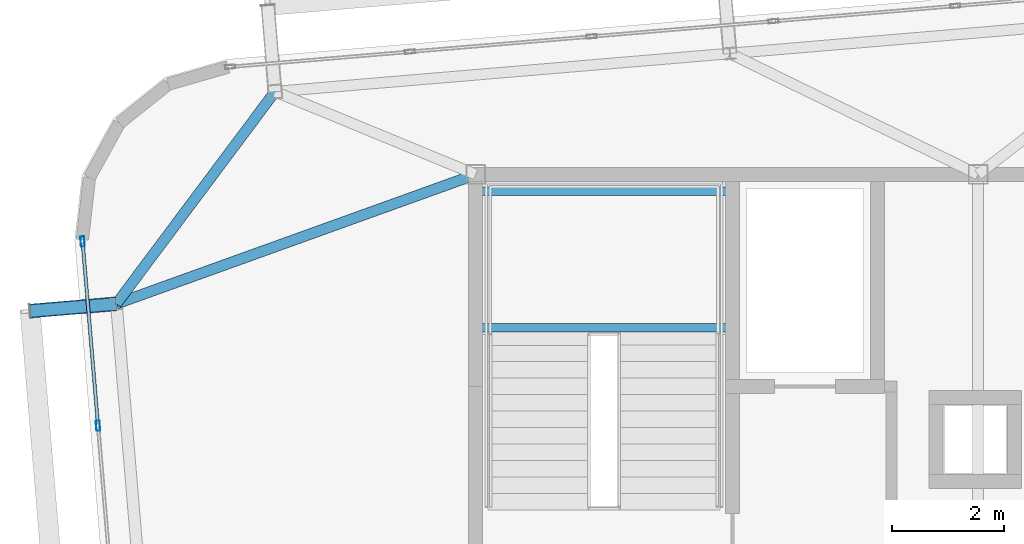
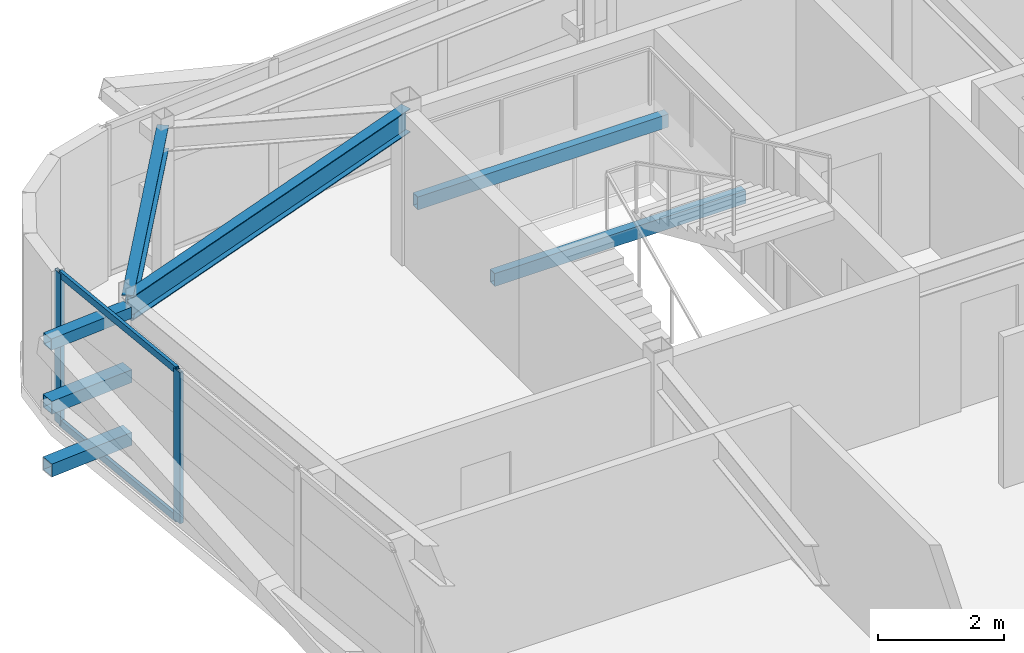
# One storey, part 17 of 46: 7 members, 4 beams, 1 element without a shape of its own.
"""IFC4 building model written with IfcOpenShell, lengths in metres."""

import ifcopenshell
import ifcopenshell.guid

model = None  # the IFC model being written
_history = None  # IfcOwnerHistory: only IFC2X3 demands one
_inside = {}  # id of a spatial element -> (the spatial element, [elements in it])
_under = {}  # id of a project, library or spatial element -> (it, [spatial elements below it])
_declared = {}  # id of a project -> (the project, [libraries it declares])
_typed = {}  # id of a type object -> (the type object, [elements of that type])
_made_of = {}  # id of a material, layer set ... -> (it, [elements and type objects made of it])


def new_model(schema):
    """Start an empty IFC model of exactly this schema.

    Asked for "IFC4X3", IfcOpenShell would pick the latest addendum, in which some entities
    have other attributes; the version numbers below select the first issue.
    IFC2X3 requires an IfcOwnerHistory on every rooted entity: one is made here for all.
    """
    global model, _history
    if schema == "IFC4X3":
        model = ifcopenshell.file(schema_version=(4, 3, 0, 0))
    else:
        model = ifcopenshell.file(schema=schema)
    _inside.clear()
    _under.clear()
    _declared.clear()
    _typed.clear()
    _made_of.clear()
    _history = None
    if model.schema == "IFC2X3":
        org = make("IfcOrganization", Name="unknown")
        user = make(
            "IfcPersonAndOrganization",
            ThePerson=make("IfcPerson", FamilyName="unknown"),
            TheOrganization=org,
        )
        app = make(
            "IfcApplication",
            ApplicationDeveloper=org,
            Version="unknown",
            ApplicationFullName="unknown",
            ApplicationIdentifier="unknown",
        )
        _history = make(
            "IfcOwnerHistory",
            OwningUser=user,
            OwningApplication=app,
            ChangeAction="ADDED",
            CreationDate=0,
        )
    return model


def make(cls, **values):
    """One entity of the class cls with the attributes given. An attribute that is None is left unset."""
    return model.create_entity(
        cls, **{name: value for name, value in values.items() if value is not None}
    )


def rooted(cls, **values):
    """An entity with a GlobalId (a new one), such as an element, a storey or a relation."""
    return make(cls, GlobalId=ifcopenshell.guid.new(), OwnerHistory=_history, **values)


def si_unit(unit_type, name, prefix=None):
    """IfcSIUnit, for example si_unit("LENGTHUNIT", "METRE", prefix="MILLI")."""
    return make("IfcSIUnit", UnitType=unit_type, Prefix=prefix, Name=name)


def assignment(units):
    """IfcUnitAssignment: the units of a project."""
    return None if units is None else make("IfcUnitAssignment", Units=units)


def point(xyz):
    """IfcCartesianPoint."""
    return None if xyz is None else make("IfcCartesianPoint", Coordinates=xyz)


def direction(xyz):
    """IfcDirection."""
    return None if xyz is None else make("IfcDirection", DirectionRatios=xyz)


def frame(location, z_axis=None, x_axis=None):
    """IfcAxis2Placement3D, a coordinate frame: its origin and axes. An axis left out is left unset."""
    return make(
        "IfcAxis2Placement3D",
        Location=point(location),
        Axis=direction(z_axis),
        RefDirection=direction(x_axis),
    )


def frame_2d(location, x_axis=None):
    """IfcAxis2Placement2D, a coordinate frame in the plane: its origin and x axis."""
    return make(
        "IfcAxis2Placement2D", Location=point(location), RefDirection=direction(x_axis)
    )


def origin():
    """The frame at (0, 0, 0) with its axes left unset."""
    return frame((0.0, 0.0, 0.0))


def origin_2d():
    """The frame at (0, 0) in the plane with its x axis left unset."""
    return frame_2d((0.0, 0.0))


def place(relative_to, where):
    """IfcLocalPlacement: puts the frame where relative to a parent placement (None: the world)."""
    return make(
        "IfcLocalPlacement", PlacementRelTo=relative_to, RelativePlacement=where
    )


def context(
    kind, dimensions, precision=None, world=None, true_north=None, identifier=None
):
    """IfcGeometricRepresentationContext, for example the 3D "Model" context."""
    return make(
        "IfcGeometricRepresentationContext",
        ContextIdentifier=identifier,
        ContextType=kind,
        CoordinateSpaceDimension=dimensions,
        Precision=precision,
        WorldCoordinateSystem=world,
        TrueNorth=true_north,
    )


def subcontext(parent, identifier, kind, view, scale=None):
    """IfcGeometricRepresentationSubContext, for example "Body" below "Model"."""
    return make(
        "IfcGeometricRepresentationSubContext",
        ContextIdentifier=identifier,
        ContextType=kind,
        ParentContext=parent,
        TargetScale=scale,
        TargetView=view,
    )


def project(units=None, contexts=None):
    """IfcProject with its units and contexts."""
    return rooted(
        "IfcProject",
        Name="project",
        RepresentationContexts=contexts,
        UnitsInContext=assignment(units),
    )


def spatial(cls, under=None, at=None, **own):
    """A site, building, storey or space (cls), placed at a placement, below another one or the project."""
    s = rooted(cls, ObjectPlacement=at, **own)
    if under is not None:
        _under.setdefault(under.id(), (under, []))[1].append(s)
    return s


def profile(cls, at=None, kind="AREA", **sizes):
    """A parametric profile (cls). Its sizes go by their IFC names, for example OverallWidth=200.0."""
    return make(cls, ProfileType=kind, Position=at, **sizes)


def hollow_rectangle(**sizes):
    """IfcRectangleHollowProfileDef."""
    return profile("IfcRectangleHollowProfileDef", **sizes)


def i_section(**sizes):
    """IfcIShapeProfileDef."""
    return profile("IfcIShapeProfileDef", **sizes)


def extrude(swept, where, along, depth):
    """IfcExtrudedAreaSolid: the profile swept, set in the frame where, extruded along a direction by depth."""
    return make(
        "IfcExtrudedAreaSolid",
        SweptArea=swept,
        Position=where,
        ExtrudedDirection=direction(along),
        Depth=depth,
    )


def shape(context_of_items, identifier, shape_type, items):
    """IfcShapeRepresentation: the items that make up one representation, for example the "Body"."""
    return make(
        "IfcShapeRepresentation",
        ContextOfItems=context_of_items,
        RepresentationIdentifier=identifier,
        RepresentationType=shape_type,
        Items=items,
    )


def source(mapping_origin, context_of_items, identifier, shape_type, items):
    """IfcRepresentationMap: a shape defined once, which mapped items show again and again."""
    return make(
        "IfcRepresentationMap",
        MappingOrigin=mapping_origin,
        MappedRepresentation=shape(context_of_items, identifier, shape_type, items),
    )


def transform(
    local_origin,
    x_axis=None,
    y_axis=None,
    z_axis=None,
    scale=None,
    scale2=None,
    scale3=None,
    uniform=True,
):
    """IfcCartesianTransformationOperator3D, or its non-uniform kind. x_axis, y_axis, z_axis: its Axis1, 2, 3."""
    if uniform:
        return make(
            "IfcCartesianTransformationOperator3D",
            Axis1=direction(x_axis),
            Axis2=direction(y_axis),
            LocalOrigin=point(local_origin),
            Scale=scale,
            Axis3=direction(z_axis),
        )
    return make(
        "IfcCartesianTransformationOperator3DnonUniform",
        Axis1=direction(x_axis),
        Axis2=direction(y_axis),
        LocalOrigin=point(local_origin),
        Scale=scale,
        Axis3=direction(z_axis),
        Scale2=scale2,
        Scale3=scale3,
    )


def mapped(mapping_source, mapping_target):
    """IfcMappedItem: shows the shape of a source again, moved by a transform."""
    return make(
        "IfcMappedItem", MappingSource=mapping_source, MappingTarget=mapping_target
    )


def material(Name=None, Category=None):
    """IfcMaterial."""
    return make("IfcMaterial", Name=Name, Category=Category)


def layer(
    of_material, thickness, ventilated=None, Name=None, Category=None, Priority=None
):
    """IfcMaterialLayer: one layer of a wall or slab, of a material (None: an air gap)."""
    return make(
        "IfcMaterialLayer",
        Material=of_material,
        LayerThickness=thickness,
        IsVentilated=ventilated,
        Name=Name,
        Category=Category,
        Priority=Priority,
    )


def layer_set(layers, Name=None):
    """IfcMaterialLayerSet."""
    return make("IfcMaterialLayerSet", MaterialLayers=layers, LayerSetName=Name)


def material_profile(
    of_material, cross_section, Name=None, Category=None, Priority=None
):
    """IfcMaterialProfile: a cross section and its material."""
    return make(
        "IfcMaterialProfile",
        Name=Name,
        Material=of_material,
        Profile=cross_section,
        Priority=Priority,
        Category=Category,
    )


def profile_set(profiles, Name=None, composite=None):
    """IfcMaterialProfileSet."""
    return make(
        "IfcMaterialProfileSet",
        Name=Name,
        MaterialProfiles=profiles,
        CompositeProfile=composite,
    )


def made_of(thing, what):
    """Note that an element or type object is made of a material, layer set ...; save() writes the relation."""
    if what is not None:
        _made_of.setdefault(what.id(), (what, []))[1].append(thing)
    return thing


def type_object(cls, material=None, **own):
    """A type object (cls), such as IfcWallType, which elements share."""
    return made_of(rooted(cls, **own), material)


def element(
    cls,
    number,
    at=None,
    inside=None,
    cuts=None,
    type_object=None,
    material=None,
    context=None,
    identifier="Body",
    shape_type=None,
    held_by="IfcProductDefinitionShape",
    body=None,
    shapes=None,
    **own,
):
    """One element of the class cls, such as IfcWall. Its Tag is "e" and its number.

    at: its placement. inside: the storey or other place that contains it. cuts: it is an
    opening in that element (IfcRelVoidsElement). A single representation is given by context,
    identifier, shape_type and body (its items); several are given by shapes. held_by: the class
    of the entity that holds the representations. save() writes the other relations.
    """
    e = rooted(cls, Tag="e%d" % number, ObjectPlacement=at, **own)
    if body is not None:
        shapes = [shape(context, identifier, shape_type, body)]
    if shapes is not None:
        e.Representation = make(held_by, Representations=shapes)
    if inside is not None:
        _inside.setdefault(inside.id(), (inside, []))[1].append(e)
    if cuts is not None:
        rooted(
            "IfcRelVoidsElement", RelatingBuildingElement=cuts, RelatedOpeningElement=e
        )
    if type_object is not None:
        _typed.setdefault(type_object.id(), (type_object, []))[1].append(e)
    return made_of(e, material)


def aggregate(whole, parts):
    """IfcRelAggregates: a whole, such as a stair, and the parts it consists of."""
    return rooted("IfcRelAggregates", RelatingObject=whole, RelatedObjects=parts)


def save(model, path):
    """Write the relations noted so far, then the file.

    IfcRelAggregates (storeys below a building ...), IfcRelContainedInSpatialStructure (elements
    in a storey), IfcRelDefinesByType, IfcRelAssociatesMaterial and IfcRelDeclares: one each for
    every whole, place, type object, material and project.
    """
    for whole, parts in _under.values():
        aggregate(whole, parts)
    for where, things in _inside.values():
        rooted(
            "IfcRelContainedInSpatialStructure",
            RelatedElements=things,
            RelatingStructure=where,
        )
    for kind, things in _typed.values():
        rooted("IfcRelDefinesByType", RelatedObjects=things, RelatingType=kind)
    for what, things in _made_of.values():
        rooted("IfcRelAssociatesMaterial", RelatedObjects=things, RelatingMaterial=what)
    for by, libraries in _declared.values():
        rooted("IfcRelDeclares", RelatingContext=by, RelatedDefinitions=libraries)
    model.write(path)


model = new_model("IFC4")

# Units and contexts
model_context = context("Model", 3, precision=1e-05, world=origin(), true_north=direction((0.0, 1.0)))
body_context = subcontext(model_context, "Body", "Model", "MODEL_VIEW")
ifc_project = project(units=[si_unit("LENGTHUNIT", "METRE"), si_unit("AREAUNIT", "SQUARE_METRE"), si_unit("VOLUMEUNIT", "CUBIC_METRE"), si_unit("PLANEANGLEUNIT", "RADIAN"), si_unit("MASSUNIT", "GRAM", prefix="KILO")], contexts=[model_context])

# Site, building, storey
site_placement = place(None, origin())
site = spatial("IfcSite", under=ifc_project, at=site_placement, CompositionType="ELEMENT")
building_placement = place(site_placement, origin())
building = spatial("IfcBuilding", under=site, at=building_placement, Name="Taldren Reach Tower", CompositionType="ELEMENT")
storey_placement = place(building_placement, frame((0.0, 0.0, 188.300048828125)))
storey = spatial("IfcBuildingStorey", under=building, at=storey_placement, Name="L57", CompositionType="ELEMENT", Elevation=188.300048828125)

# Beams
ifc_material_1 = material(Name="Steel Gr 350 (350PLUS)", Category="steel")
ifc_material_profile_1 = material_profile(ifc_material_1, i_section(OverallWidth=0.18994140625, OverallDepth=0.4541015625, WebThickness=0.008544921875, FlangeThickness=0.0126953125, at=origin_2d()), Name="460UB67.1")
ifc_profile_set_1 = profile_set([ifc_material_profile_1], Name="Steel Gr 350 (350PLUS)")
beam_type_1 = type_object("IfcBeamType", Name="SP-UB460B", PredefinedType="SPANDREL", material=ifc_profile_set_1)
shared_shape_1 = source(origin(), body_context, "Body", "SweptSolid", [
    extrude(i_section(OverallWidth=0.18994140625, OverallDepth=0.4541015625, WebThickness=0.008544921875, FlangeThickness=0.0126953125, at=origin_2d()), origin(), (0.0, 0.0, 1.0), 4.74609375),
])
beam_1_placement = place(storey_placement, frame((15.40380859375, 33.483642578125, 2.702880859375), z_axis=(-0.598764719121, -0.800924972226, 0.0), x_axis=(0.800924972226, -0.598764719121, 0.0)))
element("IfcBeam", 1, at=beam_1_placement, inside=storey, type_object=beam_type_1, Name="Perimeter spandrel B4 N1-W3 L57", PredefinedType="SPANDREL", context=body_context, shape_type="MappedRepresentation", body=[
    mapped(shared_shape_1, transform((0.0, 0.0, 0.0), scale=1.0)),
])
ifc_material_profile_2 = material_profile(ifc_material_1, i_section(OverallWidth=0.19091796875, OverallDepth=0.4599609375, WebThickness=0.010009765625, FlangeThickness=0.01611328125, at=origin_2d()), Name="460UB82.1")
ifc_profile_set_2 = profile_set([ifc_material_profile_2], Name="Steel Gr 350 (350PLUS)")
beam_type_2 = type_object("IfcBeamType", Name="BM-UB460A", PredefinedType="BEAM", material=ifc_profile_set_2)
shared_shape_2 = source(origin(), body_context, "Body", "SweptSolid", [
    extrude(i_section(OverallWidth=0.19091796875, OverallDepth=0.4599609375, WebThickness=0.010009765625, FlangeThickness=0.01611328125, at=origin_2d()), origin(), (0.0, 0.0, 1.0), 6.842529296875),
])
beam_2_placement = place(storey_placement, frame((19.0, 32.0, 2.699951171875), z_axis=(-0.940889686088, -0.33871315093, 0.0), x_axis=(0.33871315093, -0.940889686088, 0.0)))
element("IfcBeam", 2, at=beam_2_placement, inside=storey, type_object=beam_type_2, Name="Primary floor girder B4-W3 L57", PredefinedType="BEAM", context=body_context, shape_type="MappedRepresentation", body=[
    mapped(shared_shape_2, transform((0.0, 0.0, 0.0), scale=1.0)),
])

# Members
ifc_material_2 = material(Name="Steel Gr 450 (C450L0)", Category="steel")
ifc_material_profile_3 = material_profile(ifc_material_2, hollow_rectangle(XDim=0.219970703125, YDim=0.219970703125, WallThickness=0.00830078125, at=origin_2d()), Name="220x220x8.2SHS")
ifc_profile_set_3 = profile_set([ifc_material_profile_3], Name="Steel Gr 450 (C450L0)")
member_type_1 = type_object("IfcMemberType", Name="MB-TIE219", PredefinedType="STRUT", material=ifc_profile_set_3)
shared_shape_3 = source(origin(), body_context, "Body", "SweptSolid", [
    extrude(hollow_rectangle(XDim=0.219970703125, YDim=0.219970703125, WallThickness=0.00830078125, at=origin_2d()), origin(), (0.0, 0.0, 1.0), 1.54541015625),
])
member_1_placement = place(storey_placement, frame((12.557373046875, 29.68212890625, 2.64990234375), z_axis=(-0.99648887425, -0.083725285883, 0.0), x_axis=(0.083725285883, -0.99648887425, 0.0)))
element("IfcMember", 3, at=member_1_placement, inside=storey, type_object=member_type_1, Name="Exoskeleton diaphragm tie strut B4-W3 L57", PredefinedType="STRUT", context=body_context, shape_type="MappedRepresentation", body=[
    mapped(shared_shape_3, transform((0.0, 0.0, 0.0), scale=1.0)),
])
ifc_material_3 = material(Name="Steel Gr 350 (C350L0)", Category="steel")
ifc_material_profile_4 = material_profile(ifc_material_3, hollow_rectangle(XDim=0.25, YDim=0.25, WallThickness=0.010009765625, at=origin_2d()), Name="250x250x10.0SHS")
ifc_profile_set_4 = profile_set([ifc_material_profile_4], Name="Steel Gr 350 (C350L0)")
member_type_2 = type_object("IfcMemberType", Name="MB-POST250", PredefinedType="POST", material=ifc_profile_set_4)
shared_shape_4 = source(origin(), body_context, "Body", "SweptSolid", [
    extrude(hollow_rectangle(XDim=0.25, YDim=0.25, WallThickness=0.010009765625, at=origin_2d()), origin(), (0.0, 0.0, 1.0), 1.54541015625),
])
for number, where, z_axis, x_axis, name in (
    (4, (12.557373046875, 29.68212890625, 0.219970703125), (-0.99648887425, -0.083725285883, 0.0), (0.083725285883, -0.99648887425, 0.0), "Exoskeleton base diaphragm tie strut B4-W3 L57"),
    (5, (12.557373046875, 29.68212890625, 1.43505859375), (-0.99648887425, -0.083725285883, 0.0), (0.083725285883, -0.99648887425, 0.0), "Exoskeleton mid-tier diaphragm tie B4-W3 L57"),
):
    element("IfcMember", number, at=place(storey_placement, frame(where, z_axis=z_axis, x_axis=x_axis)), inside=storey, type_object=member_type_2, Name=name, PredefinedType="POST", context=body_context, shape_type="MappedRepresentation", body=[
        mapped(shared_shape_4, transform((0.0, 0.0, 0.0), scale=1.0)),
    ])

# Curtain wall, members
ifc_material_4 = material(Name="Aluminium and Low-E Glass Unitised System", Category="aluminium")
ifc_layer = layer(ifc_material_4, 0.159912109375)
ifc_layer_set = layer_set([ifc_layer], Name="Aluminium and Low-E Glass Unitised System")
curtain_wall_type = type_object("IfcCurtainWallType", Name="CW-SYS-5", PredefinedType="NOTDEFINED", material=ifc_layer_set)
curtain_wall_placement = place(storey_placement, origin())
curtain_wall = element("IfcCurtainWall", 6, at=curtain_wall_placement, inside=storey, type_object=curtain_wall_type, Name="Unitised curtain wall CW-L57-W", PredefinedType="NOTDEFINED")
ifc_material_5 = material(Name="Anodised Aluminium 6063-T6", Category="aluminium")
ifc_material_profile_5 = material_profile(ifc_material_5, hollow_rectangle(XDim=0.070068359375, YDim=0.179931640625, WallThickness=0.00390625, at=origin_2d()), Name="ALU-180x70x4RHS")
ifc_profile_set_5 = profile_set([ifc_material_profile_5], Name="Anodised Aluminium 6063-T6")
member_type_3 = type_object("IfcMemberType", Name="CW-MUL-180", PredefinedType="MULLION", material=ifc_profile_set_5)
shared_shape_5 = source(origin(), body_context, "Body", "SweptSolid", [
    extrude(hollow_rectangle(XDim=0.070068359375, YDim=0.179931640625, WallThickness=0.00390625, at=origin_2d()), origin(), (0.0, 0.0, 1.0), 2.929931640625),
])
member_2_placement = place(storey_placement, frame((11.956298828125, 30.800537109375, 0.0), z_axis=(0.0, 0.0, 1.0), x_axis=(0.996492847789, 0.083677979808, 0.0)))
member_2 = element("IfcMember", 7, at=member_2_placement, type_object=member_type_3, Name="CW-5 mullion 1", PredefinedType="MULLION", context=body_context, shape_type="MappedRepresentation", body=[
    mapped(shared_shape_5, transform((0.0, 0.0, 0.0), scale=1.0)),
])
member_3_placement = place(storey_placement, frame((12.233642578125, 27.497314453125, 0.0), z_axis=(0.0, 0.0, 1.0), x_axis=(0.996492847789, 0.083677979808, 0.0)))
member_3 = element("IfcMember", 8, at=member_3_placement, type_object=member_type_3, Name="CW-5 mullion 2", PredefinedType="MULLION", context=body_context, shape_type="MappedRepresentation", body=[
    mapped(shared_shape_5, transform((0.0, 0.0, 0.0), scale=1.0)),
])
ifc_material_profile_6 = material_profile(ifc_material_5, hollow_rectangle(XDim=0.06005859375, YDim=0.135009765625, WallThickness=0.00341796875, at=origin_2d()), Name="ALU-135x60x3.5RHS")
ifc_profile_set_6 = profile_set([ifc_material_profile_6], Name="Anodised Aluminium 6063-T6")
member_type_4 = type_object("IfcMemberType", Name="CW-TRN-150", PredefinedType="USERDEFINED", material=ifc_profile_set_6)
shared_shape_6 = source(origin(), body_context, "Body", "SweptSolid", [
    extrude(hollow_rectangle(XDim=0.06005859375, YDim=0.135009765625, WallThickness=0.00341796875, at=origin_2d()), origin(), (0.0, 0.0, 1.0), 3.2451171875),
])
member_4_placement = place(storey_placement, frame((11.959228515625, 30.765869140625, 0.030029296875), z_axis=(0.083661876203, -0.996494199918, 0.0), x_axis=(0.996494199918, 0.083661876203, 0.0)))
member_4 = element("IfcMember", 9, at=member_4_placement, type_object=member_type_4, Name="CW-5 transom 1.1", ObjectType="TRANSOM", PredefinedType="USERDEFINED", context=body_context, shape_type="MappedRepresentation", body=[
    mapped(shared_shape_6, transform((0.0, 0.0, 0.0), scale=1.0)),
])
member_5_placement = place(storey_placement, frame((11.959228515625, 30.765869140625, 2.89990234375), z_axis=(0.083661876203, -0.996494199918, 0.0), x_axis=(0.996494199918, 0.083661876203, 0.0)))
member_5 = element("IfcMember", 10, at=member_5_placement, type_object=member_type_4, Name="CW-5 transom 1.2", ObjectType="TRANSOM", PredefinedType="USERDEFINED", context=body_context, shape_type="MappedRepresentation", body=[
    mapped(shared_shape_6, transform((0.0, 0.0, 0.0), scale=1.0)),
])
aggregate(curtain_wall, [member_2, member_3, member_4, member_5])

# Beams
ifc_material_profile_7 = material_profile(ifc_material_3, hollow_rectangle(XDim=0.14990234375, YDim=0.25, WallThickness=0.009033203125, at=origin_2d()), Name="250x150x9.0RHS")
ifc_profile_set_7 = profile_set([ifc_material_profile_7], Name="Steel Gr 350 (C350L0)")
beam_type_3 = type_object("IfcBeamType", Name="LN-RHS250", PredefinedType="LINTEL", material=ifc_profile_set_7)
shared_shape_7 = source(origin(), body_context, "Body", "SweptSolid", [
    extrude(hollow_rectangle(XDim=0.14990234375, YDim=0.25, WallThickness=0.009033203125, at=origin_2d()), origin(), (0.0, 0.0, 1.0), 4.60009765625),
])
for number, where, z_axis, x_axis, name in (
    (11, (19.0, 29.2548828125, 1.27001953125), (1.0, 0.0, 0.0), (0.0, 1.0, 0.0), "Stair half-landing support beam ST1-L57-1"),
    (12, (19.0, 31.699951171875, 1.27001953125), (1.0, 0.0, 0.0), (0.0, 1.0, 0.0), "Stair half-landing support beam ST1-L57-2"),
):
    element("IfcBeam", number, at=place(storey_placement, frame(where, z_axis=z_axis, x_axis=x_axis)), inside=storey, type_object=beam_type_3, Name=name, PredefinedType="LINTEL", context=body_context, shape_type="MappedRepresentation", body=[
        mapped(shared_shape_7, transform((0.0, 0.0, 0.0), scale=1.0)),
    ])

save(model, "model.ifc")
